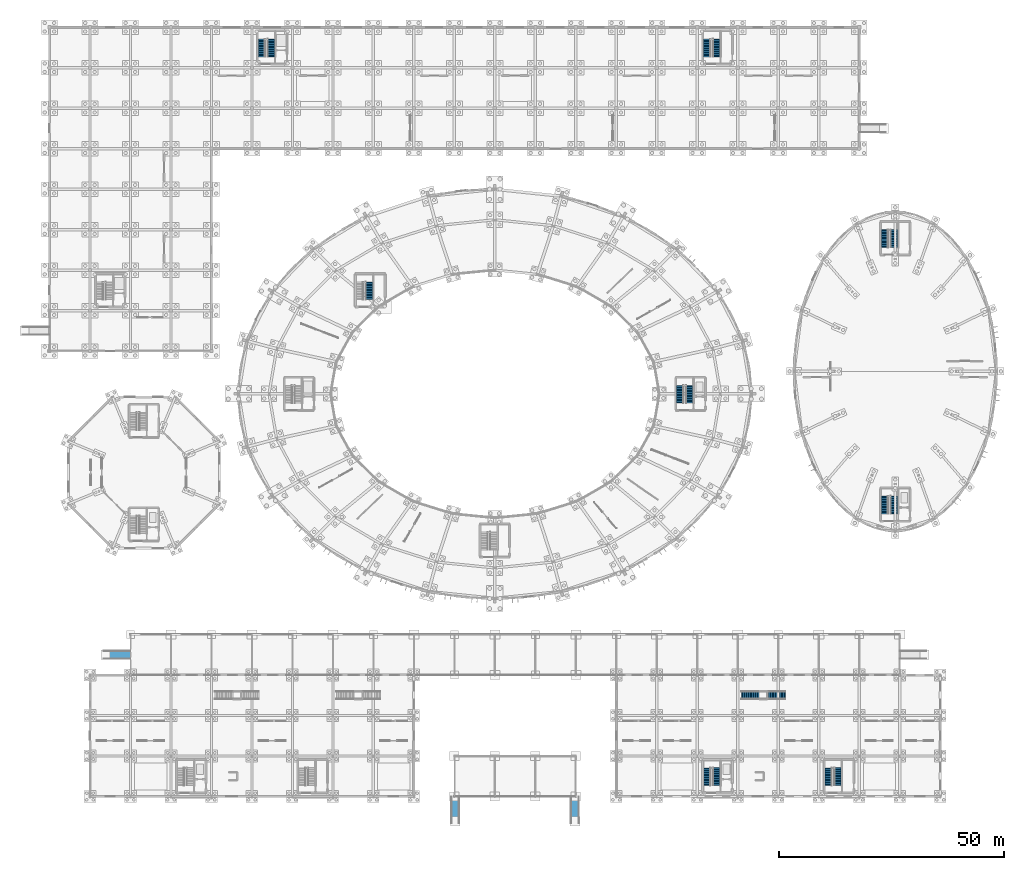
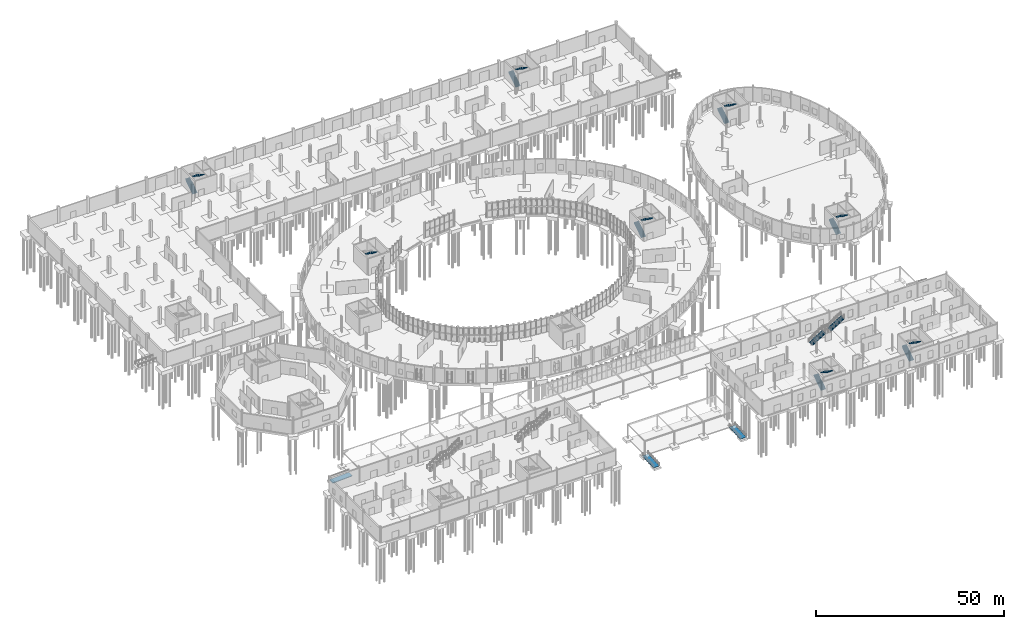
# One storey, part 103 of 118: 17 stair flights, 3 ramp flights, 12 elements without a shape of their own.
"""IFC4 building model written with IfcOpenShell, lengths in metres."""

from ifc_helpers import new_model, si_unit, direction, frame, origin, place, context, subcontext, project, spatial, polyline, outline, extrude, material, layer, layer_set, type_object, element, aggregate, save


model = new_model("IFC4")

# Units and contexts
model_context = context("Model", 3, precision=1e-05, world=origin(), true_north=direction((0.0, 1.0)))
body_context = subcontext(model_context, "Body", "Model", "MODEL_VIEW")
ifc_project = project(units=[si_unit("LENGTHUNIT", "METRE"), si_unit("AREAUNIT", "SQUARE_METRE"), si_unit("VOLUMEUNIT", "CUBIC_METRE"), si_unit("PLANEANGLEUNIT", "RADIAN"), si_unit("MASSUNIT", "GRAM", prefix="KILO")], contexts=[model_context])

# Site, building, storey
site_placement = place(None, origin())
site = spatial("IfcSite", under=ifc_project, at=site_placement, CompositionType="ELEMENT")
building_placement = place(site_placement, origin())
building = spatial("IfcBuilding", under=site, at=building_placement, Name="Kildeholm Park Wholesale Market", CompositionType="ELEMENT")
storey_placement = place(building_placement, origin())
storey = spatial("IfcBuildingStorey", under=building, at=storey_placement, Name="L00", CompositionType="ELEMENT", Elevation=0.0)

# Stair, stair flights
ifc_material_1 = material(Name="Concrete C35/45", Category="concrete")
stair_type_1 = type_object("IfcStairType", Name="Protected core escape stair ST-CR1", PredefinedType="HALF_TURN_STAIR", material=ifc_material_1)
stair_1_placement = place(storey_placement, origin())
stair_1 = element("IfcStair", 1, at=stair_1_placement, inside=storey, type_object=stair_type_1, Name="Escape stair C02 L00 STR-0003", PredefinedType="HALF_TURN_STAIR")
stair_flight_type_1 = type_object("IfcStairFlightType", Name="Reinforced-concrete stair flight SF-01", PredefinedType="STRAIGHT", material=ifc_material_1)
stair_flight_1_placement = place(storey_placement, frame((47.159912109375, 164.419921875, 0.0), z_axis=(0.0, 0.0, 1.0), x_axis=(0.0, 1.0, 0.0)))
stair_flight_1 = element("IfcStairFlight", 2, at=stair_flight_1_placement, type_object=stair_flight_type_1, Name="ST-02-00 flight 1 FLT-0005", NumberOfRisers=15, NumberOfTreads=14, PredefinedType="STRAIGHT", RiserHeight=0.18, TreadLength=0.28, context=body_context, shape_type="SweptSolid", body=[
    extrude(outline(polyline([(0.0, 0.0), (0.0, 0.179931640625), (0.280029296875, 0.179931640625), (0.280029296875, 0.360107421875), (0.56005859375, 0.360107421875), (0.56005859375, 0.5400390625), (0.840087890625, 0.5400390625), (0.840087890625, 0.719970703125), (1.1201171875, 0.719970703125), (1.1201171875, 0.89990234375), (1.39990234375, 0.89990234375), (1.39990234375, 1.080078125), (1.679931640625, 1.080078125), (1.679931640625, 1.260009765625), (1.9599609375, 1.260009765625), (1.9599609375, 1.43994140625), (2.239990234375, 1.43994140625), (2.239990234375, 1.6201171875), (2.52001953125, 1.6201171875), (2.52001953125, 1.800048828125), (2.800048828125, 1.800048828125), (2.800048828125, 1.97998046875), (3.080078125, 1.97998046875), (3.080078125, 2.159912109375), (3.360107421875, 2.159912109375), (3.360107421875, 2.340087890625), (3.639892578125, 2.340087890625), (3.639892578125, 2.52001953125), (3.919921875, 2.52001953125), (3.919921875, 2.699951171875), (3.969970703125, 2.699951171875), (3.969970703125, 2.5400390625), (3.919921875, 2.329833984375), (0.295654296875, 0.0), (0.0, 0.0)])), frame((0.0, 0.739990234375, 0.0), z_axis=(0.0, -1.0, 0.0), x_axis=(1.0, 0.0, 0.0)), (0.0, 0.0, 1.0), 1.47998046875),
])
stair_flight_2_placement = place(storey_placement, frame((49.25, 168.39990234375, 2.699951171875), z_axis=(0.0, 0.0, 1.0), x_axis=(0.0, -1.0, 0.0)))
stair_flight_2 = element("IfcStairFlight", 3, at=stair_flight_2_placement, type_object=stair_flight_type_1, Name="ST-02-00 flight 2 FLT-0006", NumberOfRisers=15, NumberOfTreads=14, PredefinedType="STRAIGHT", RiserHeight=0.18, TreadLength=0.28, context=body_context, shape_type="SweptSolid", body=[
    extrude(outline(polyline([(0.0, 0.0), (0.0, 0.179931640625), (0.280029296875, 0.179931640625), (0.280029296875, 0.360107421875), (0.56005859375, 0.360107421875), (0.56005859375, 0.5400390625), (0.840087890625, 0.5400390625), (0.840087890625, 0.719970703125), (1.1201171875, 0.719970703125), (1.1201171875, 0.89990234375), (1.39990234375, 0.89990234375), (1.39990234375, 1.080078125), (1.679931640625, 1.080078125), (1.679931640625, 1.260009765625), (1.9599609375, 1.260009765625), (1.9599609375, 1.43994140625), (2.239990234375, 1.43994140625), (2.239990234375, 1.6201171875), (2.52001953125, 1.6201171875), (2.52001953125, 1.800048828125), (2.800048828125, 1.800048828125), (2.800048828125, 1.97998046875), (3.080078125, 1.97998046875), (3.080078125, 2.159912109375), (3.360107421875, 2.159912109375), (3.360107421875, 2.340087890625), (3.639892578125, 2.340087890625), (3.639892578125, 2.52001953125), (3.919921875, 2.52001953125), (3.919921875, 2.699951171875), (3.969970703125, 2.699951171875), (3.969970703125, 2.5400390625), (3.919921875, 2.329833984375), (0.295654296875, 0.0), (0.0, 0.0)])), frame((0.0, 0.739990234375, 0.0), z_axis=(0.0, -1.0, 0.0), x_axis=(1.0, 0.0, 0.0)), (0.0, 0.0, 1.0), 1.47998046875),
])
aggregate(stair_1, [stair_flight_1, stair_flight_2])

stair_2_placement = place(storey_placement, origin())
stair_2 = element("IfcStair", 4, at=stair_2_placement, inside=storey, type_object=stair_type_1, Name="Escape stair C03 L00 STR-0006", PredefinedType="HALF_TURN_STAIR")
stair_flight_3_placement = place(storey_placement, frame((146.159912109375, 164.419921875, 0.0), z_axis=(0.0, 0.0, 1.0), x_axis=(0.0, 1.0, 0.0)))
stair_flight_3 = element("IfcStairFlight", 5, at=stair_flight_3_placement, type_object=stair_flight_type_1, Name="ST-03-00 flight 1 FLT-0011", NumberOfRisers=15, NumberOfTreads=14, PredefinedType="STRAIGHT", RiserHeight=0.18, TreadLength=0.28, context=body_context, shape_type="SweptSolid", body=[
    extrude(outline(polyline([(0.0, 0.0), (0.0, 0.179931640625), (0.280029296875, 0.179931640625), (0.280029296875, 0.360107421875), (0.56005859375, 0.360107421875), (0.56005859375, 0.5400390625), (0.840087890625, 0.5400390625), (0.840087890625, 0.719970703125), (1.1201171875, 0.719970703125), (1.1201171875, 0.89990234375), (1.39990234375, 0.89990234375), (1.39990234375, 1.080078125), (1.679931640625, 1.080078125), (1.679931640625, 1.260009765625), (1.9599609375, 1.260009765625), (1.9599609375, 1.43994140625), (2.239990234375, 1.43994140625), (2.239990234375, 1.6201171875), (2.52001953125, 1.6201171875), (2.52001953125, 1.800048828125), (2.800048828125, 1.800048828125), (2.800048828125, 1.97998046875), (3.080078125, 1.97998046875), (3.080078125, 2.159912109375), (3.360107421875, 2.159912109375), (3.360107421875, 2.340087890625), (3.639892578125, 2.340087890625), (3.639892578125, 2.52001953125), (3.919921875, 2.52001953125), (3.919921875, 2.699951171875), (3.969970703125, 2.699951171875), (3.969970703125, 2.5400390625), (3.919921875, 2.329833984375), (0.295654296875, 0.0), (0.0, 0.0)])), frame((0.0, 0.739990234375, 0.0), z_axis=(0.0, -1.0, 0.0), x_axis=(1.0, 0.0, 0.0)), (0.0, 0.0, 1.0), 1.47998046875),
])
stair_flight_4_placement = place(storey_placement, frame((148.25, 168.39990234375, 2.699951171875), z_axis=(0.0, 0.0, 1.0), x_axis=(0.0, -1.0, 0.0)))
stair_flight_4 = element("IfcStairFlight", 6, at=stair_flight_4_placement, type_object=stair_flight_type_1, Name="ST-03-00 flight 2 FLT-0012", NumberOfRisers=15, NumberOfTreads=14, PredefinedType="STRAIGHT", RiserHeight=0.18, TreadLength=0.28, context=body_context, shape_type="SweptSolid", body=[
    extrude(outline(polyline([(0.0, 0.0), (0.0, 0.179931640625), (0.280029296875, 0.179931640625), (0.280029296875, 0.360107421875), (0.56005859375, 0.360107421875), (0.56005859375, 0.5400390625), (0.840087890625, 0.5400390625), (0.840087890625, 0.719970703125), (1.1201171875, 0.719970703125), (1.1201171875, 0.89990234375), (1.39990234375, 0.89990234375), (1.39990234375, 1.080078125), (1.679931640625, 1.080078125), (1.679931640625, 1.260009765625), (1.9599609375, 1.260009765625), (1.9599609375, 1.43994140625), (2.239990234375, 1.43994140625), (2.239990234375, 1.6201171875), (2.52001953125, 1.6201171875), (2.52001953125, 1.800048828125), (2.800048828125, 1.800048828125), (2.800048828125, 1.97998046875), (3.080078125, 1.97998046875), (3.080078125, 2.159912109375), (3.360107421875, 2.159912109375), (3.360107421875, 2.340087890625), (3.639892578125, 2.340087890625), (3.639892578125, 2.52001953125), (3.919921875, 2.52001953125), (3.919921875, 2.699951171875), (3.969970703125, 2.699951171875), (3.969970703125, 2.5400390625), (3.919921875, 2.329833984375), (0.295654296875, 0.0), (0.0, 0.0)])), frame((0.0, 0.739990234375, 0.0), z_axis=(0.0, -1.0, 0.0), x_axis=(1.0, 0.0, 0.0)), (0.0, 0.0, 1.0), 1.47998046875),
])
aggregate(stair_2, [stair_flight_3, stair_flight_4])

stair_3_placement = place(storey_placement, origin())
stair_3 = element("IfcStair", 7, at=stair_3_placement, inside=storey, type_object=stair_type_1, Name="Escape stair C06 L00 STR-0014", PredefinedType="HALF_TURN_STAIR")
stair_flight_5_placement = place(storey_placement, frame((146.159912109375, 2.419921875, 0.0), z_axis=(0.0, 0.0, 1.0), x_axis=(0.0, 1.0, 0.0)))
stair_flight_5 = element("IfcStairFlight", 8, at=stair_flight_5_placement, type_object=stair_flight_type_1, Name="ST-06-00 flight 1 FLT-0027", NumberOfRisers=15, NumberOfTreads=14, PredefinedType="STRAIGHT", RiserHeight=0.18, TreadLength=0.28, context=body_context, shape_type="SweptSolid", body=[
    extrude(outline(polyline([(0.0, 0.0), (0.0, 0.179931640625), (0.280029296875, 0.179931640625), (0.280029296875, 0.360107421875), (0.56005859375, 0.360107421875), (0.56005859375, 0.5400390625), (0.840087890625, 0.5400390625), (0.840087890625, 0.719970703125), (1.1201171875, 0.719970703125), (1.1201171875, 0.89990234375), (1.39990234375, 0.89990234375), (1.39990234375, 1.080078125), (1.679931640625, 1.080078125), (1.679931640625, 1.260009765625), (1.9599609375, 1.260009765625), (1.9599609375, 1.43994140625), (2.239990234375, 1.43994140625), (2.239990234375, 1.6201171875), (2.52001953125, 1.6201171875), (2.52001953125, 1.800048828125), (2.800048828125, 1.800048828125), (2.800048828125, 1.97998046875), (3.080078125, 1.97998046875), (3.080078125, 2.159912109375), (3.360107421875, 2.159912109375), (3.360107421875, 2.340087890625), (3.639892578125, 2.340087890625), (3.639892578125, 2.52001953125), (3.919921875, 2.52001953125), (3.919921875, 2.699951171875), (3.969970703125, 2.699951171875), (3.969970703125, 2.5400390625), (3.919921875, 2.329833984375), (0.295654296875, 0.0), (0.0, 0.0)])), frame((0.0, 0.739990234375, 0.0), z_axis=(0.0, -1.0, 0.0), x_axis=(1.0, 0.0, 0.0)), (0.0, 0.0, 1.0), 1.47998046875),
])
stair_flight_6_placement = place(storey_placement, frame((148.25, 6.39990234375, 2.699951171875), z_axis=(0.0, 0.0, 1.0), x_axis=(0.0, -1.0, 0.0)))
stair_flight_6 = element("IfcStairFlight", 9, at=stair_flight_6_placement, type_object=stair_flight_type_1, Name="ST-06-00 flight 2 FLT-0028", NumberOfRisers=15, NumberOfTreads=14, PredefinedType="STRAIGHT", RiserHeight=0.18, TreadLength=0.28, context=body_context, shape_type="SweptSolid", body=[
    extrude(outline(polyline([(0.0, 0.0), (0.0, 0.179931640625), (0.280029296875, 0.179931640625), (0.280029296875, 0.360107421875), (0.56005859375, 0.360107421875), (0.56005859375, 0.5400390625), (0.840087890625, 0.5400390625), (0.840087890625, 0.719970703125), (1.1201171875, 0.719970703125), (1.1201171875, 0.89990234375), (1.39990234375, 0.89990234375), (1.39990234375, 1.080078125), (1.679931640625, 1.080078125), (1.679931640625, 1.260009765625), (1.9599609375, 1.260009765625), (1.9599609375, 1.43994140625), (2.239990234375, 1.43994140625), (2.239990234375, 1.6201171875), (2.52001953125, 1.6201171875), (2.52001953125, 1.800048828125), (2.800048828125, 1.800048828125), (2.800048828125, 1.97998046875), (3.080078125, 1.97998046875), (3.080078125, 2.159912109375), (3.360107421875, 2.159912109375), (3.360107421875, 2.340087890625), (3.639892578125, 2.340087890625), (3.639892578125, 2.52001953125), (3.919921875, 2.52001953125), (3.919921875, 2.699951171875), (3.969970703125, 2.699951171875), (3.969970703125, 2.5400390625), (3.919921875, 2.329833984375), (0.295654296875, 0.0), (0.0, 0.0)])), frame((0.0, 0.739990234375, 0.0), z_axis=(0.0, -1.0, 0.0), x_axis=(1.0, 0.0, 0.0)), (0.0, 0.0, 1.0), 1.47998046875),
])
aggregate(stair_3, [stair_flight_5, stair_flight_6])

stair_4_placement = place(storey_placement, origin())
stair_4 = element("IfcStair", 10, at=stair_4_placement, inside=storey, type_object=stair_type_1, Name="Escape stair C07 L00 STR-0017", PredefinedType="HALF_TURN_STAIR")
stair_flight_7_placement = place(storey_placement, frame((173.159912109375, 2.419921875, 0.0), z_axis=(0.0, 0.0, 1.0), x_axis=(0.0, 1.0, 0.0)))
stair_flight_7 = element("IfcStairFlight", 11, at=stair_flight_7_placement, type_object=stair_flight_type_1, Name="ST-07-00 flight 1 FLT-0033", NumberOfRisers=15, NumberOfTreads=14, PredefinedType="STRAIGHT", RiserHeight=0.18, TreadLength=0.28, context=body_context, shape_type="SweptSolid", body=[
    extrude(outline(polyline([(0.0, 0.0), (0.0, 0.179931640625), (0.280029296875, 0.179931640625), (0.280029296875, 0.360107421875), (0.56005859375, 0.360107421875), (0.56005859375, 0.5400390625), (0.840087890625, 0.5400390625), (0.840087890625, 0.719970703125), (1.1201171875, 0.719970703125), (1.1201171875, 0.89990234375), (1.39990234375, 0.89990234375), (1.39990234375, 1.080078125), (1.679931640625, 1.080078125), (1.679931640625, 1.260009765625), (1.9599609375, 1.260009765625), (1.9599609375, 1.43994140625), (2.239990234375, 1.43994140625), (2.239990234375, 1.6201171875), (2.52001953125, 1.6201171875), (2.52001953125, 1.800048828125), (2.800048828125, 1.800048828125), (2.800048828125, 1.97998046875), (3.080078125, 1.97998046875), (3.080078125, 2.159912109375), (3.360107421875, 2.159912109375), (3.360107421875, 2.340087890625), (3.639892578125, 2.340087890625), (3.639892578125, 2.52001953125), (3.919921875, 2.52001953125), (3.919921875, 2.699951171875), (3.969970703125, 2.699951171875), (3.969970703125, 2.5400390625), (3.919921875, 2.329833984375), (0.295654296875, 0.0), (0.0, 0.0)])), frame((0.0, 0.739990234375, 0.0), z_axis=(0.0, -1.0, 0.0), x_axis=(1.0, 0.0, 0.0)), (0.0, 0.0, 1.0), 1.47998046875),
])
stair_flight_8_placement = place(storey_placement, frame((175.25, 6.39990234375, 2.699951171875), z_axis=(0.0, 0.0, 1.0), x_axis=(0.0, -1.0, 0.0)))
stair_flight_8 = element("IfcStairFlight", 12, at=stair_flight_8_placement, type_object=stair_flight_type_1, Name="ST-07-00 flight 2 FLT-0034", NumberOfRisers=15, NumberOfTreads=14, PredefinedType="STRAIGHT", RiserHeight=0.18, TreadLength=0.28, context=body_context, shape_type="SweptSolid", body=[
    extrude(outline(polyline([(0.0, 0.0), (0.0, 0.179931640625), (0.280029296875, 0.179931640625), (0.280029296875, 0.360107421875), (0.56005859375, 0.360107421875), (0.56005859375, 0.5400390625), (0.840087890625, 0.5400390625), (0.840087890625, 0.719970703125), (1.1201171875, 0.719970703125), (1.1201171875, 0.89990234375), (1.39990234375, 0.89990234375), (1.39990234375, 1.080078125), (1.679931640625, 1.080078125), (1.679931640625, 1.260009765625), (1.9599609375, 1.260009765625), (1.9599609375, 1.43994140625), (2.239990234375, 1.43994140625), (2.239990234375, 1.6201171875), (2.52001953125, 1.6201171875), (2.52001953125, 1.800048828125), (2.800048828125, 1.800048828125), (2.800048828125, 1.97998046875), (3.080078125, 1.97998046875), (3.080078125, 2.159912109375), (3.360107421875, 2.159912109375), (3.360107421875, 2.340087890625), (3.639892578125, 2.340087890625), (3.639892578125, 2.52001953125), (3.919921875, 2.52001953125), (3.919921875, 2.699951171875), (3.969970703125, 2.699951171875), (3.969970703125, 2.5400390625), (3.919921875, 2.329833984375), (0.295654296875, 0.0), (0.0, 0.0)])), frame((0.0, 0.739990234375, 0.0), z_axis=(0.0, -1.0, 0.0), x_axis=(1.0, 0.0, 0.0)), (0.0, 0.0, 1.0), 1.47998046875),
])
aggregate(stair_4, [stair_flight_7, stair_flight_8])

stair_5_placement = place(storey_placement, origin())
stair_5 = element("IfcStair", 13, at=stair_5_placement, inside=storey, type_object=stair_type_1, Name="Escape stair C08 L00 STR-0020", PredefinedType="HALF_TURN_STAIR")
stair_flight_9_placement = place(storey_placement, frame((140.159912109375, 87.419921875, 0.0), z_axis=(0.0, 0.0, 1.0), x_axis=(0.0, 1.0, 0.0)))
stair_flight_9 = element("IfcStairFlight", 14, at=stair_flight_9_placement, type_object=stair_flight_type_1, Name="ST-08-00 flight 1 FLT-0039", NumberOfRisers=15, NumberOfTreads=14, PredefinedType="STRAIGHT", RiserHeight=0.18, TreadLength=0.28, context=body_context, shape_type="SweptSolid", body=[
    extrude(outline(polyline([(0.0, 0.0), (0.0, 0.179931640625), (0.280029296875, 0.179931640625), (0.280029296875, 0.360107421875), (0.56005859375, 0.360107421875), (0.56005859375, 0.5400390625), (0.840087890625, 0.5400390625), (0.840087890625, 0.719970703125), (1.1201171875, 0.719970703125), (1.1201171875, 0.89990234375), (1.39990234375, 0.89990234375), (1.39990234375, 1.080078125), (1.679931640625, 1.080078125), (1.679931640625, 1.260009765625), (1.9599609375, 1.260009765625), (1.9599609375, 1.43994140625), (2.239990234375, 1.43994140625), (2.239990234375, 1.6201171875), (2.52001953125, 1.6201171875), (2.52001953125, 1.800048828125), (2.800048828125, 1.800048828125), (2.800048828125, 1.97998046875), (3.080078125, 1.97998046875), (3.080078125, 2.159912109375), (3.360107421875, 2.159912109375), (3.360107421875, 2.340087890625), (3.639892578125, 2.340087890625), (3.639892578125, 2.52001953125), (3.919921875, 2.52001953125), (3.919921875, 2.699951171875), (3.969970703125, 2.699951171875), (3.969970703125, 2.5400390625), (3.919921875, 2.329833984375), (0.295654296875, 0.0), (0.0, 0.0)])), frame((0.0, 0.739990234375, 0.0), z_axis=(0.0, -1.0, 0.0), x_axis=(1.0, 0.0, 0.0)), (0.0, 0.0, 1.0), 1.47998046875),
])
stair_flight_10_placement = place(storey_placement, frame((142.25, 91.39990234375, 2.699951171875), z_axis=(0.0, 0.0, 1.0), x_axis=(0.0, -1.0, 0.0)))
stair_flight_10 = element("IfcStairFlight", 15, at=stair_flight_10_placement, type_object=stair_flight_type_1, Name="ST-08-00 flight 2 FLT-0040", NumberOfRisers=15, NumberOfTreads=14, PredefinedType="STRAIGHT", RiserHeight=0.18, TreadLength=0.28, context=body_context, shape_type="SweptSolid", body=[
    extrude(outline(polyline([(0.0, 0.0), (0.0, 0.179931640625), (0.280029296875, 0.179931640625), (0.280029296875, 0.360107421875), (0.56005859375, 0.360107421875), (0.56005859375, 0.5400390625), (0.840087890625, 0.5400390625), (0.840087890625, 0.719970703125), (1.1201171875, 0.719970703125), (1.1201171875, 0.89990234375), (1.39990234375, 0.89990234375), (1.39990234375, 1.080078125), (1.679931640625, 1.080078125), (1.679931640625, 1.260009765625), (1.9599609375, 1.260009765625), (1.9599609375, 1.43994140625), (2.239990234375, 1.43994140625), (2.239990234375, 1.6201171875), (2.52001953125, 1.6201171875), (2.52001953125, 1.800048828125), (2.800048828125, 1.800048828125), (2.800048828125, 1.97998046875), (3.080078125, 1.97998046875), (3.080078125, 2.159912109375), (3.360107421875, 2.159912109375), (3.360107421875, 2.340087890625), (3.639892578125, 2.340087890625), (3.639892578125, 2.52001953125), (3.919921875, 2.52001953125), (3.919921875, 2.699951171875), (3.969970703125, 2.699951171875), (3.969970703125, 2.5400390625), (3.919921875, 2.329833984375), (0.295654296875, 0.0), (0.0, 0.0)])), frame((0.0, 0.739990234375, 0.0), z_axis=(0.0, -1.0, 0.0), x_axis=(1.0, 0.0, 0.0)), (0.0, 0.0, 1.0), 1.47998046875),
])
aggregate(stair_5, [stair_flight_9, stair_flight_10])

# Stair, stair flight
stair_6_placement = place(storey_placement, origin())
stair_6 = element("IfcStair", 16, at=stair_6_placement, inside=storey, type_object=stair_type_1, Name="Escape stair C11 L00 STR-0026", PredefinedType="HALF_TURN_STAIR")
stair_flight_11_placement = place(storey_placement, frame((71.050048828125, 114.39990234375, 2.699951171875), z_axis=(0.0, 0.0, 1.0), x_axis=(0.0, -1.0, 0.0)))
stair_flight_11 = element("IfcStairFlight", 17, at=stair_flight_11_placement, type_object=stair_flight_type_1, Name="ST-11-00 flight 2 FLT-0052", NumberOfRisers=15, NumberOfTreads=14, PredefinedType="STRAIGHT", RiserHeight=0.18, TreadLength=0.28, context=body_context, shape_type="SweptSolid", body=[
    extrude(outline(polyline([(0.0, 0.0), (0.0, 0.179931640625), (0.280029296875, 0.179931640625), (0.280029296875, 0.360107421875), (0.56005859375, 0.360107421875), (0.56005859375, 0.5400390625), (0.840087890625, 0.5400390625), (0.840087890625, 0.719970703125), (1.1201171875, 0.719970703125), (1.1201171875, 0.89990234375), (1.39990234375, 0.89990234375), (1.39990234375, 1.080078125), (1.679931640625, 1.080078125), (1.679931640625, 1.260009765625), (1.9599609375, 1.260009765625), (1.9599609375, 1.43994140625), (2.239990234375, 1.43994140625), (2.239990234375, 1.6201171875), (2.52001953125, 1.6201171875), (2.52001953125, 1.800048828125), (2.800048828125, 1.800048828125), (2.800048828125, 1.97998046875), (3.080078125, 1.97998046875), (3.080078125, 2.159912109375), (3.360107421875, 2.159912109375), (3.360107421875, 2.340087890625), (3.639892578125, 2.340087890625), (3.639892578125, 2.52001953125), (3.919921875, 2.52001953125), (3.919921875, 2.699951171875), (3.969970703125, 2.699951171875), (3.969970703125, 2.5400390625), (3.919921875, 2.329833984375), (0.295654296875, 0.0), (0.0, 0.0)])), frame((0.0, 0.739990234375, 0.0), z_axis=(0.0, -1.0, 0.0), x_axis=(1.0, 0.0, 0.0)), (0.0, 0.0, 1.0), 1.47998046875),
])
aggregate(stair_6, [stair_flight_11])

# Stair, stair flights
stair_7_placement = place(storey_placement, origin())
stair_7 = element("IfcStair", 18, at=stair_7_placement, inside=storey, type_object=stair_type_1, Name="Escape stair C12 L00 STR-0028", PredefinedType="HALF_TURN_STAIR")
stair_flight_12_placement = place(storey_placement, frame((185.659912109375, 62.820068359375, 0.0), z_axis=(0.0, 0.0, 1.0), x_axis=(0.0, 1.0, 0.0)))
stair_flight_12 = element("IfcStairFlight", 19, at=stair_flight_12_placement, type_object=stair_flight_type_1, Name="ST-12-00 flight 1 FLT-0055", NumberOfRisers=15, NumberOfTreads=14, PredefinedType="STRAIGHT", RiserHeight=0.18, TreadLength=0.28, context=body_context, shape_type="SweptSolid", body=[
    extrude(outline(polyline([(0.0, 0.0), (0.0, 0.179931640625), (0.280029296875, 0.179931640625), (0.280029296875, 0.360107421875), (0.56005859375, 0.360107421875), (0.56005859375, 0.5400390625), (0.840087890625, 0.5400390625), (0.840087890625, 0.719970703125), (1.1201171875, 0.719970703125), (1.1201171875, 0.89990234375), (1.39990234375, 0.89990234375), (1.39990234375, 1.080078125), (1.679931640625, 1.080078125), (1.679931640625, 1.260009765625), (1.9599609375, 1.260009765625), (1.9599609375, 1.43994140625), (2.239990234375, 1.43994140625), (2.239990234375, 1.6201171875), (2.52001953125, 1.6201171875), (2.52001953125, 1.800048828125), (2.800048828125, 1.800048828125), (2.800048828125, 1.97998046875), (3.080078125, 1.97998046875), (3.080078125, 2.159912109375), (3.360107421875, 2.159912109375), (3.360107421875, 2.340087890625), (3.639892578125, 2.340087890625), (3.639892578125, 2.52001953125), (3.919921875, 2.52001953125), (3.919921875, 2.699951171875), (3.969970703125, 2.699951171875), (3.969970703125, 2.5400390625), (3.919921875, 2.329833984375), (0.295654296875, 0.0), (0.0, 0.0)])), frame((0.0, 0.739990234375, 0.0), z_axis=(0.0, -1.0, 0.0), x_axis=(1.0, 0.0, 0.0)), (0.0, 0.0, 1.0), 1.47998046875),
])
stair_flight_13_placement = place(storey_placement, frame((187.75, 66.800048828125, 2.699951171875), z_axis=(0.0, 0.0, 1.0), x_axis=(0.0, -1.0, 0.0)))
stair_flight_13 = element("IfcStairFlight", 20, at=stair_flight_13_placement, type_object=stair_flight_type_1, Name="ST-12-00 flight 2 FLT-0056", NumberOfRisers=15, NumberOfTreads=14, PredefinedType="STRAIGHT", RiserHeight=0.18, TreadLength=0.28, context=body_context, shape_type="SweptSolid", body=[
    extrude(outline(polyline([(0.0, 0.0), (0.0, 0.179931640625), (0.280029296875, 0.179931640625), (0.280029296875, 0.360107421875), (0.56005859375, 0.360107421875), (0.56005859375, 0.5400390625), (0.840087890625, 0.5400390625), (0.840087890625, 0.719970703125), (1.1201171875, 0.719970703125), (1.1201171875, 0.89990234375), (1.39990234375, 0.89990234375), (1.39990234375, 1.080078125), (1.679931640625, 1.080078125), (1.679931640625, 1.260009765625), (1.9599609375, 1.260009765625), (1.9599609375, 1.43994140625), (2.239990234375, 1.43994140625), (2.239990234375, 1.6201171875), (2.52001953125, 1.6201171875), (2.52001953125, 1.800048828125), (2.800048828125, 1.800048828125), (2.800048828125, 1.97998046875), (3.080078125, 1.97998046875), (3.080078125, 2.159912109375), (3.360107421875, 2.159912109375), (3.360107421875, 2.340087890625), (3.639892578125, 2.340087890625), (3.639892578125, 2.52001953125), (3.919921875, 2.52001953125), (3.919921875, 2.699951171875), (3.969970703125, 2.699951171875), (3.969970703125, 2.5400390625), (3.919921875, 2.329833984375), (0.295654296875, 0.0), (0.0, 0.0)])), frame((0.0, 0.739990234375, 0.0), z_axis=(0.0, -1.0, 0.0), x_axis=(1.0, 0.0, 0.0)), (0.0, 0.0, 1.0), 1.47998046875),
])
aggregate(stair_7, [stair_flight_12, stair_flight_13])

stair_8_placement = place(storey_placement, origin())
stair_8 = element("IfcStair", 21, at=stair_8_placement, inside=storey, type_object=stair_type_1, Name="Escape stair C13 L00 STR-0030", PredefinedType="HALF_TURN_STAIR")
stair_flight_14_placement = place(storey_placement, frame((185.659912109375, 122.02001953125, 0.0), z_axis=(0.0, 0.0, 1.0), x_axis=(0.0, 1.0, 0.0)))
stair_flight_14 = element("IfcStairFlight", 22, at=stair_flight_14_placement, type_object=stair_flight_type_1, Name="ST-13-00 flight 1 FLT-0059", NumberOfRisers=15, NumberOfTreads=14, PredefinedType="STRAIGHT", RiserHeight=0.18, TreadLength=0.28, context=body_context, shape_type="SweptSolid", body=[
    extrude(outline(polyline([(0.0, 0.0), (0.0, 0.179931640625), (0.280029296875, 0.179931640625), (0.280029296875, 0.360107421875), (0.56005859375, 0.360107421875), (0.56005859375, 0.5400390625), (0.840087890625, 0.5400390625), (0.840087890625, 0.719970703125), (1.1201171875, 0.719970703125), (1.1201171875, 0.89990234375), (1.39990234375, 0.89990234375), (1.39990234375, 1.080078125), (1.679931640625, 1.080078125), (1.679931640625, 1.260009765625), (1.9599609375, 1.260009765625), (1.9599609375, 1.43994140625), (2.239990234375, 1.43994140625), (2.239990234375, 1.6201171875), (2.52001953125, 1.6201171875), (2.52001953125, 1.800048828125), (2.800048828125, 1.800048828125), (2.800048828125, 1.97998046875), (3.080078125, 1.97998046875), (3.080078125, 2.159912109375), (3.360107421875, 2.159912109375), (3.360107421875, 2.340087890625), (3.639892578125, 2.340087890625), (3.639892578125, 2.52001953125), (3.919921875, 2.52001953125), (3.919921875, 2.699951171875), (3.969970703125, 2.699951171875), (3.969970703125, 2.5400390625), (3.919921875, 2.329833984375), (0.295654296875, 0.0), (0.0, 0.0)])), frame((0.0, 0.739990234375, 0.0), z_axis=(0.0, -1.0, 0.0), x_axis=(1.0, 0.0, 0.0)), (0.0, 0.0, 1.0), 1.47998046875),
])
stair_flight_15_placement = place(storey_placement, frame((187.75, 126.0, 2.699951171875), z_axis=(0.0, 0.0, 1.0), x_axis=(0.0, -1.0, 0.0)))
stair_flight_15 = element("IfcStairFlight", 23, at=stair_flight_15_placement, type_object=stair_flight_type_1, Name="ST-13-00 flight 2 FLT-0060", NumberOfRisers=15, NumberOfTreads=14, PredefinedType="STRAIGHT", RiserHeight=0.18, TreadLength=0.28, context=body_context, shape_type="SweptSolid", body=[
    extrude(outline(polyline([(0.0, 0.0), (0.0, 0.179931640625), (0.280029296875, 0.179931640625), (0.280029296875, 0.360107421875), (0.56005859375, 0.360107421875), (0.56005859375, 0.5400390625), (0.840087890625, 0.5400390625), (0.840087890625, 0.719970703125), (1.1201171875, 0.719970703125), (1.1201171875, 0.89990234375), (1.39990234375, 0.89990234375), (1.39990234375, 1.080078125), (1.679931640625, 1.080078125), (1.679931640625, 1.260009765625), (1.9599609375, 1.260009765625), (1.9599609375, 1.43994140625), (2.239990234375, 1.43994140625), (2.239990234375, 1.6201171875), (2.52001953125, 1.6201171875), (2.52001953125, 1.800048828125), (2.800048828125, 1.800048828125), (2.800048828125, 1.97998046875), (3.080078125, 1.97998046875), (3.080078125, 2.159912109375), (3.360107421875, 2.159912109375), (3.360107421875, 2.340087890625), (3.639892578125, 2.340087890625), (3.639892578125, 2.52001953125), (3.919921875, 2.52001953125), (3.919921875, 2.699951171875), (3.969970703125, 2.699951171875), (3.969970703125, 2.5400390625), (3.919921875, 2.329833984375), (0.295654296875, 0.0), (0.0, 0.0)])), frame((0.0, 0.739990234375, 0.0), z_axis=(0.0, -1.0, 0.0), x_axis=(1.0, 0.0, 0.0)), (0.0, 0.0, 1.0), 1.47998046875),
])
aggregate(stair_8, [stair_flight_14, stair_flight_15])

ifc_material_2 = material(Name="Steel S355", Category="steel")
stair_type_2 = type_object("IfcStairType", Name="Buyers concourse feature straight stair ST-FT1", PredefinedType="STRAIGHT_RUN_STAIR", material=ifc_material_2)
stair_9_placement = place(storey_placement, origin())
stair_9 = element("IfcStair", 24, at=stair_9_placement, inside=storey, type_object=stair_type_2, Name="Buyers concourse feature stair ST-FT02 STR-0035", PredefinedType="STRAIGHT_RUN_STAIR")
stair_flight_type_2 = type_object("IfcStairFlightType", Name="Steel feature stair flight SF-02", PredefinedType="STRAIGHT", material=ifc_material_2)
stair_flight_16_placement = place(storey_placement, frame((153.800048828125, 22.5, 0.0), z_axis=(0.0, 0.0, 1.0), x_axis=(1.0, 0.0, 0.0)))
stair_flight_16 = element("IfcStairFlight", 25, at=stair_flight_16_placement, type_object=stair_flight_type_2, Name="ST-FT02 flight 1 FLT-0069", NumberOfRisers=15, NumberOfTreads=14, PredefinedType="STRAIGHT", RiserHeight=0.18, TreadLength=0.285, context=body_context, shape_type="SweptSolid", body=[
    extrude(outline(polyline([(0.0, 0.0), (0.0, 0.179931640625), (0.284912109375, 0.179931640625), (0.284912109375, 0.360107421875), (0.570068359375, 0.360107421875), (0.570068359375, 0.5400390625), (0.85498046875, 0.5400390625), (0.85498046875, 0.719970703125), (1.139892578125, 0.719970703125), (1.139892578125, 0.89990234375), (1.425048828125, 0.89990234375), (1.425048828125, 1.080078125), (1.7099609375, 1.080078125), (1.7099609375, 1.260009765625), (1.9951171875, 1.260009765625), (1.9951171875, 1.43994140625), (2.280029296875, 1.43994140625), (2.280029296875, 1.6201171875), (2.56494140625, 1.6201171875), (2.56494140625, 1.800048828125), (2.85009765625, 1.800048828125), (2.85009765625, 1.97998046875), (3.135009765625, 1.97998046875), (3.135009765625, 2.159912109375), (3.419921875, 2.159912109375), (3.419921875, 2.340087890625), (3.705078125, 2.340087890625), (3.705078125, 2.52001953125), (3.989990234375, 2.52001953125), (3.989990234375, 2.699951171875), (4.0400390625, 2.699951171875), (4.0400390625, 2.530029296875), (3.989990234375, 2.319091796875), (0.318115234375, 0.0), (0.0, 0.0)])), frame((0.0, 0.824951171875, 0.0), z_axis=(0.0, -1.0, 0.0), x_axis=(1.0, 0.0, 0.0)), (0.0, 0.0, 1.0), 1.64990234375),
])
stair_flight_17_placement = place(storey_placement, frame((159.5400390625, 22.5, 2.699951171875), z_axis=(0.0, 0.0, 1.0), x_axis=(1.0, 0.0, 0.0)))
stair_flight_17 = element("IfcStairFlight", 26, at=stair_flight_17_placement, type_object=stair_flight_type_2, Name="ST-FT02 flight 2 FLT-0070", NumberOfRisers=15, NumberOfTreads=14, PredefinedType="STRAIGHT", RiserHeight=0.18, TreadLength=0.285, context=body_context, shape_type="SweptSolid", body=[
    extrude(outline(polyline([(0.0, 0.0), (0.0, 0.179931640625), (0.284912109375, 0.179931640625), (0.284912109375, 0.360107421875), (0.570068359375, 0.360107421875), (0.570068359375, 0.5400390625), (0.85498046875, 0.5400390625), (0.85498046875, 0.719970703125), (1.139892578125, 0.719970703125), (1.139892578125, 0.89990234375), (1.425048828125, 0.89990234375), (1.425048828125, 1.080078125), (1.7099609375, 1.080078125), (1.7099609375, 1.260009765625), (1.9951171875, 1.260009765625), (1.9951171875, 1.43994140625), (2.280029296875, 1.43994140625), (2.280029296875, 1.6201171875), (2.56494140625, 1.6201171875), (2.56494140625, 1.800048828125), (2.85009765625, 1.800048828125), (2.85009765625, 1.97998046875), (3.135009765625, 1.97998046875), (3.135009765625, 2.159912109375), (3.419921875, 2.159912109375), (3.419921875, 2.340087890625), (3.705078125, 2.340087890625), (3.705078125, 2.52001953125), (3.989990234375, 2.52001953125), (3.989990234375, 2.699951171875), (4.0400390625, 2.699951171875), (4.0400390625, 2.530029296875), (3.989990234375, 2.319091796875), (0.318115234375, 0.0), (0.0, 0.0)])), frame((0.0, 0.824951171875, 0.0), z_axis=(0.0, -1.0, 0.0), x_axis=(1.0, 0.0, 0.0)), (0.0, 0.0, 1.0), 1.64990234375),
])
aggregate(stair_9, [stair_flight_16, stair_flight_17])

# Ramp, ramp flight
ramp_type = type_object("IfcRampType", Name="Step-free accessible ramp RM-01 1:20", PredefinedType="STRAIGHT_RUN_RAMP", material=ifc_material_1)
ramp_1_placement = place(storey_placement, origin())
ramp_1 = element("IfcRamp", 27, at=ramp_1_placement, inside=storey, type_object=ramp_type, Name="Accessible 1:20 ramp RM-PK-W RMP-0001", PredefinedType="STRAIGHT_RUN_RAMP")
ifc_layer = layer(ifc_material_1, 0.199951171875)
ifc_layer_set = layer_set([ifc_layer], Name="Concrete C35/45")
ramp_flight_type = type_object("IfcRampFlightType", Name="Step-free ramp flight RMF-01 1800 mm", PredefinedType="STRAIGHT", material=ifc_layer_set)
ramp_flight_1_placement = place(storey_placement, frame((90.199951171875, -5.919921875, -0.300048828125), z_axis=(0.0, 0.0, 1.0), x_axis=(0.0, 1.0, 0.0)))
ramp_flight_1 = element("IfcRampFlight", 28, at=ramp_flight_1_placement, type_object=ramp_flight_type, Name="Accessible ramp flight RM-PK-W RMF-0001", PredefinedType="STRAIGHT", context=body_context, shape_type="SweptSolid", body=[
    extrude(outline(polyline([(0.0, 0.0), (0.0, -0.199951171875), (6.0, 0.10009765625), (6.0, 0.300048828125), (0.0, 0.0)])), frame((0.0, 0.89990234375, 0.0), z_axis=(0.0, -1.0, 0.0), x_axis=(1.0, 0.0, 0.0)), (0.0, 0.0, 1.0), 1.800048828125),
])
aggregate(ramp_1, [ramp_flight_1])

ramp_2_placement = place(storey_placement, origin())
ramp_2 = element("IfcRamp", 29, at=ramp_2_placement, inside=storey, type_object=ramp_type, Name="Accessible 1:20 ramp RM-PK-E RMP-0002", PredefinedType="STRAIGHT_RUN_RAMP")
ramp_flight_2_placement = place(storey_placement, frame((116.800048828125, -5.919921875, -0.300048828125), z_axis=(0.0, 0.0, 1.0), x_axis=(0.0, 1.0, 0.0)))
ramp_flight_2 = element("IfcRampFlight", 30, at=ramp_flight_2_placement, type_object=ramp_flight_type, Name="Accessible ramp flight RM-PK-E RMF-0002", PredefinedType="STRAIGHT", context=body_context, shape_type="SweptSolid", body=[
    extrude(outline(polyline([(0.0, 0.0), (0.0, -0.199951171875), (6.0, 0.10009765625), (6.0, 0.300048828125), (0.0, 0.0)])), frame((0.0, 0.89990234375, 0.0), z_axis=(0.0, -1.0, 0.0), x_axis=(1.0, 0.0, 0.0)), (0.0, 0.0, 1.0), 1.800048828125),
])
aggregate(ramp_2, [ramp_flight_2])

ramp_3_placement = place(storey_placement, origin())
ramp_3 = element("IfcRamp", 31, at=ramp_3_placement, inside=storey, type_object=ramp_type, Name="Accessible 1:20 ramp RM-V6-W RMP-0003", PredefinedType="STRAIGHT_RUN_RAMP")
ramp_flight_3_placement = place(storey_placement, frame((12.080078125, 31.5, -0.300048828125), z_axis=(0.0, 0.0, 1.0), x_axis=(1.0, 0.0, 0.0)))
ramp_flight_3 = element("IfcRampFlight", 32, at=ramp_flight_3_placement, type_object=ramp_flight_type, Name="Accessible ramp flight RM-V6-W RMF-0003", PredefinedType="STRAIGHT", context=body_context, shape_type="SweptSolid", body=[
    extrude(outline(polyline([(0.0, 0.0), (0.0, -0.199951171875), (6.0, 0.10009765625), (6.0, 0.300048828125), (0.0, 0.0)])), frame((0.0, 0.89990234375, 0.0), z_axis=(0.0, -1.0, 0.0), x_axis=(1.0, 0.0, 0.0)), (0.0, 0.0, 1.0), 1.800048828125),
])
aggregate(ramp_3, [ramp_flight_3])

save(model, "model.ifc")
